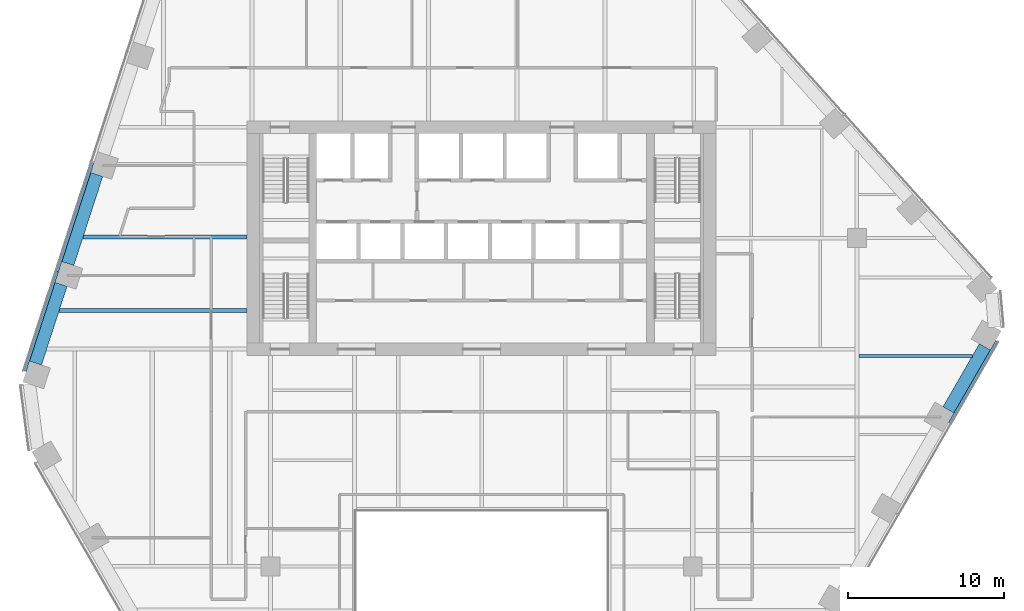
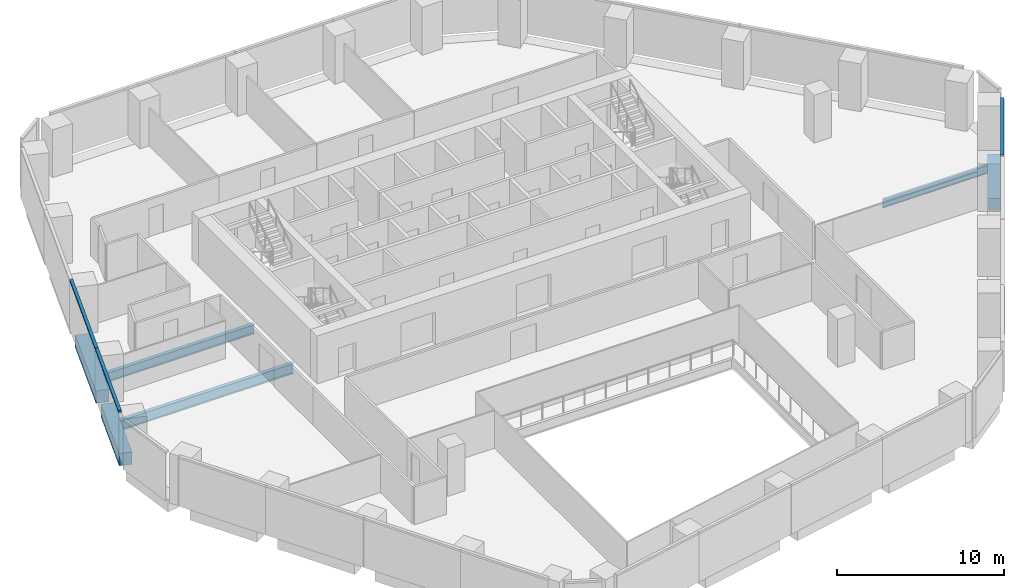
# One storey, part 6 of 16: 6 beams, 3 members, 2 elements without a shape of their own.
"""IFC4 building model written with IfcOpenShell, lengths in metres."""

from ifc_helpers import new_model, si_unit, direction, frame, origin, origin_2d, place, context, subcontext, project, spatial, rectangle, i_section, extrude, material, layer, layer_set, material_profile, profile_set, type_object, element, aggregate, save


model = new_model("IFC4")

# Units and contexts
model_context = context("Model", 3, precision=1e-05, world=origin(), true_north=direction((0.0, 1.0)))
body_context = subcontext(model_context, "Body", "Model", "MODEL_VIEW")
ifc_project = project(units=[si_unit("LENGTHUNIT", "METRE"), si_unit("AREAUNIT", "SQUARE_METRE"), si_unit("VOLUMEUNIT", "CUBIC_METRE"), si_unit("PLANEANGLEUNIT", "RADIAN"), si_unit("MASSUNIT", "GRAM", prefix="KILO")], contexts=[model_context])

# Site, building, storey
site_placement = place(None, origin())
site = spatial("IfcSite", under=ifc_project, at=site_placement, CompositionType="ELEMENT")
building_placement = place(site_placement, origin())
building = spatial("IfcBuilding", under=site, at=building_placement, Name="Isthmus Gate Tower", CompositionType="ELEMENT")
storey_placement = place(building_placement, frame((0.0, 0.0, 155.35009765625)))
storey = spatial("IfcBuildingStorey", under=building, at=storey_placement, Name="L38", CompositionType="ELEMENT", Elevation=155.35009765625)

# Curtain wall, members
ifc_material_1 = material(Name="Aluminium, pale champagne anodised", Category="aluminium")
ifc_layer = layer(ifc_material_1, 0.199951171875)
ifc_layer_set = layer_set([ifc_layer], Name="CW-1 UNITISED CURTAIN WALL 200 DEEP")
curtain_wall_type = type_object("IfcCurtainWallType", Name="CW-1 UNITISED CURTAIN WALL 200 DEEP", PredefinedType="NOTDEFINED", material=ifc_layer_set)
curtain_wall_1_placement = place(storey_placement, origin())
curtain_wall_1 = element("IfcCurtainWall", 1, at=curtain_wall_1_placement, inside=storey, type_object=curtain_wall_type, Name="CW-1 NW L38", PredefinedType="NOTDEFINED")
ifc_material_2 = material(Name="Aluminium, pale champagne anodised", Category="aluminium")
ifc_material_profile_1 = material_profile(ifc_material_2, rectangle(XDim=0.199951171875, YDim=0.139892578125, at=origin_2d()), Name="200x140")
ifc_profile_set_1 = profile_set([ifc_material_profile_1], Name="Aluminium, pale champagne anodised")
member_type = type_object("IfcMemberType", Name="CW-1 TRANSOM 200 X 140", PredefinedType="USERDEFINED", material=ifc_profile_set_1)
member_1_placement = place(storey_placement, frame((-24.896240234375, 12.33056640625, 3.579833984375), z_axis=(-0.309025074527, -0.951053890857, 0.0), x_axis=(0.951053890857, -0.309025074527, 0.0)))
member_1 = element("IfcMember", 2, at=member_1_placement, type_object=member_type, Name="CW-1 transom", ObjectType="TRANSOM", PredefinedType="USERDEFINED", context=body_context, shape_type="SweptSolid", body=[
    extrude(rectangle(XDim=0.199951171875, YDim=0.139892578125, at=origin_2d()), origin(), (0.0, 0.0, 1.0), 7.330810546875),
])
member_2_placement = place(storey_placement, frame((-27.16162109375, 5.358642578125, 3.579833984375), z_axis=(-0.309026665985, -0.951053373744, 0.0), x_axis=(0.951053373744, -0.309026665985, 0.0)))
member_2 = element("IfcMember", 3, at=member_2_placement, type_object=member_type, Name="CW-1 transom", ObjectType="TRANSOM", PredefinedType="USERDEFINED", context=body_context, shape_type="SweptSolid", body=[
    extrude(rectangle(XDim=0.199951171875, YDim=0.139892578125, at=origin_2d()), origin(), (0.0, 0.0, 1.0), 6.690673828125),
])
aggregate(curtain_wall_1, [member_1, member_2])

# Curtain wall, member
curtain_wall_2_placement = place(storey_placement, origin())
curtain_wall_2 = element("IfcCurtainWall", 4, at=curtain_wall_2_placement, inside=storey, type_object=curtain_wall_type, Name="CW-1 SE L38", PredefinedType="NOTDEFINED")
member_3_placement = place(storey_placement, frame((29.941162109375, -4.34033203125, 3.579833984375), z_axis=(0.499997231551, 0.866027002143, 0.0), x_axis=(-0.866027002143, 0.499997231551, 0.0)))
member_3 = element("IfcMember", 5, at=member_3_placement, type_object=member_type, Name="CW-1 transom", ObjectType="TRANSOM", PredefinedType="USERDEFINED", context=body_context, shape_type="SweptSolid", body=[
    extrude(rectangle(XDim=0.199951171875, YDim=0.139892578125, at=origin_2d()), origin(), (0.0, 0.0, 1.0), 6.05029296875),
])
aggregate(curtain_wall_2, [member_3])

# Beams
ifc_material_3 = material(Name="Concrete f'c 60 MPa", Category="concrete")
ifc_material_profile_2 = material_profile(ifc_material_3, rectangle(XDim=0.800048828125, YDim=0.89990234375, at=origin_2d()), Name="RC 800X900")
ifc_profile_set_2 = profile_set([ifc_material_profile_2], Name="Concrete f'c 60 MPa")
beam_type_1 = type_object("IfcBeamType", Name="RC SPANDREL 800 X 900", PredefinedType="SPANDREL", material=ifc_profile_set_2)
beam_1_placement = place(storey_placement, frame((32.183349609375, 0.54296875, -0.4501953125), z_axis=(-0.500023913295, -0.866011596997, 0.0), x_axis=(0.866011596997, -0.500023913295, 0.0)))
element("IfcBeam", 6, at=beam_1_placement, inside=storey, type_object=beam_type_1, Name="str-spandrel-L38-06", PredefinedType="SPANDREL", context=body_context, shape_type="SweptSolid", body=[
    extrude(rectangle(XDim=0.800048828125, YDim=0.89990234375, at=origin_2d()), origin(), (0.0, 0.0, 1.0), 4.650146484375),
])
beam_2_placement = place(storey_placement, frame((-28.537353515625, -0.493408203125, -0.4501953125), z_axis=(0.309033901013, 0.951051022829, 0.0), x_axis=(-0.951051022829, 0.309033901013, 0.0)))
element("IfcBeam", 7, at=beam_2_placement, inside=storey, type_object=beam_type_1, Name="str-spandrel-L38-21", PredefinedType="SPANDREL", context=body_context, shape_type="SweptSolid", body=[
    extrude(rectangle(XDim=0.800048828125, YDim=0.89990234375, at=origin_2d()), origin(), (0.0, 0.0, 1.0), 5.290771484375),
])
beam_3_placement = place(storey_placement, frame((-26.4697265625, 5.869873046875, -0.4501953125), z_axis=(0.309029860788, 0.951052335648, 0.0), x_axis=(-0.951052335648, 0.309029860788, 0.0)))
element("IfcBeam", 8, at=beam_3_placement, inside=storey, type_object=beam_type_1, Name="str-spandrel-L38-22", PredefinedType="SPANDREL", context=body_context, shape_type="SweptSolid", body=[
    extrude(rectangle(XDim=0.800048828125, YDim=0.89990234375, at=origin_2d()), origin(), (0.0, 0.0, 1.0), 5.99072265625),
])
ifc_material_4 = material(Name="Structural steel ASTM A992 Gr 50", Category="steel")
ifc_material_profile_3 = material_profile(ifc_material_4, i_section(OverallWidth=0.177734375, OverallDepth=0.60009765625, WebThickness=0.009521484375, FlangeThickness=0.0126953125, at=origin_2d()), Name="W24X55")
ifc_profile_set_3 = profile_set([ifc_material_profile_3], Name="Structural steel ASTM A992 Gr 50")
beam_type_2 = type_object("IfcBeamType", Name="STEEL FLOOR BEAM W24X55", PredefinedType="JOIST", material=ifc_profile_set_3)
beam_4_placement = place(storey_placement, frame((24.13330078125, -0.037353515625, -0.4501953125), z_axis=(1.0, 0.0, 0.0), x_axis=(0.0, 1.0, 0.0)))
element("IfcBeam", 9, at=beam_4_placement, inside=storey, type_object=beam_type_2, Name="str-beam-L38-16-01", PredefinedType="JOIST", context=body_context, shape_type="SweptSolid", body=[
    extrude(i_section(OverallWidth=0.177734375, OverallDepth=0.60009765625, WebThickness=0.009521484375, FlangeThickness=0.0126953125, at=origin_2d()), origin(), (0.0, 0.0, 1.0), 7.2529296875),
])
ifc_material_5 = material(Name="Structural steel ASTM A992 Gr 50", Category="steel")
ifc_material_profile_4 = material_profile(ifc_material_5, i_section(OverallWidth=0.25390625, OverallDepth=0.679443359375, WebThickness=0.010986328125, FlangeThickness=0.015869140625, at=origin_2d()), Name="W27X84")
ifc_profile_set_4 = profile_set([ifc_material_profile_4], Name="Structural steel ASTM A992 Gr 50")
beam_type_3 = type_object("IfcBeamType", Name="STEEL FLOOR BEAM W27X84", PredefinedType="JOIST", material=ifc_profile_set_4)
beam_5_placement = place(storey_placement, frame((-25.498046875, 7.56591796875, -0.48974609375), z_axis=(1.0, 0.0, 0.0), x_axis=(0.0, 1.0, 0.0)))
element("IfcBeam", 10, at=beam_5_placement, inside=storey, type_object=beam_type_3, Name="str-beam-L38-01-01", PredefinedType="JOIST", context=body_context, shape_type="SweptSolid", body=[
    extrude(i_section(OverallWidth=0.25390625, OverallDepth=0.679443359375, WebThickness=0.010986328125, FlangeThickness=0.015869140625, at=origin_2d()), origin(), (0.0, 0.0, 1.0), 10.498046875),
])
ifc_material_6 = material(Name="Structural steel ASTM A992 Gr 50", Category="steel")
ifc_material_profile_5 = material_profile(ifc_material_6, i_section(OverallWidth=0.263427734375, OverallDepth=0.749267578125, WebThickness=0.0126953125, FlangeThickness=0.015869140625, at=origin_2d()), Name="W30X90")
ifc_profile_set_5 = profile_set([ifc_material_profile_5], Name="Structural steel ASTM A992 Gr 50")
beam_type_4 = type_object("IfcBeamType", Name="STEEL FLOOR BEAM W30X90", PredefinedType="JOIST", material=ifc_profile_set_5)
beam_6_placement = place(storey_placement, frame((-27.021728515625, 2.87646484375, -0.524658203125), z_axis=(1.0, 0.0, 0.0), x_axis=(0.0, 1.0, 0.0)))
element("IfcBeam", 11, at=beam_6_placement, inside=storey, type_object=beam_type_4, Name="str-beam-L38-01-00", PredefinedType="JOIST", context=body_context, shape_type="SweptSolid", body=[
    extrude(i_section(OverallWidth=0.263427734375, OverallDepth=0.749267578125, WebThickness=0.0126953125, FlangeThickness=0.015869140625, at=origin_2d()), origin(), (0.0, 0.0, 1.0), 12.021728515625),
])

save(model, "model.ifc")
